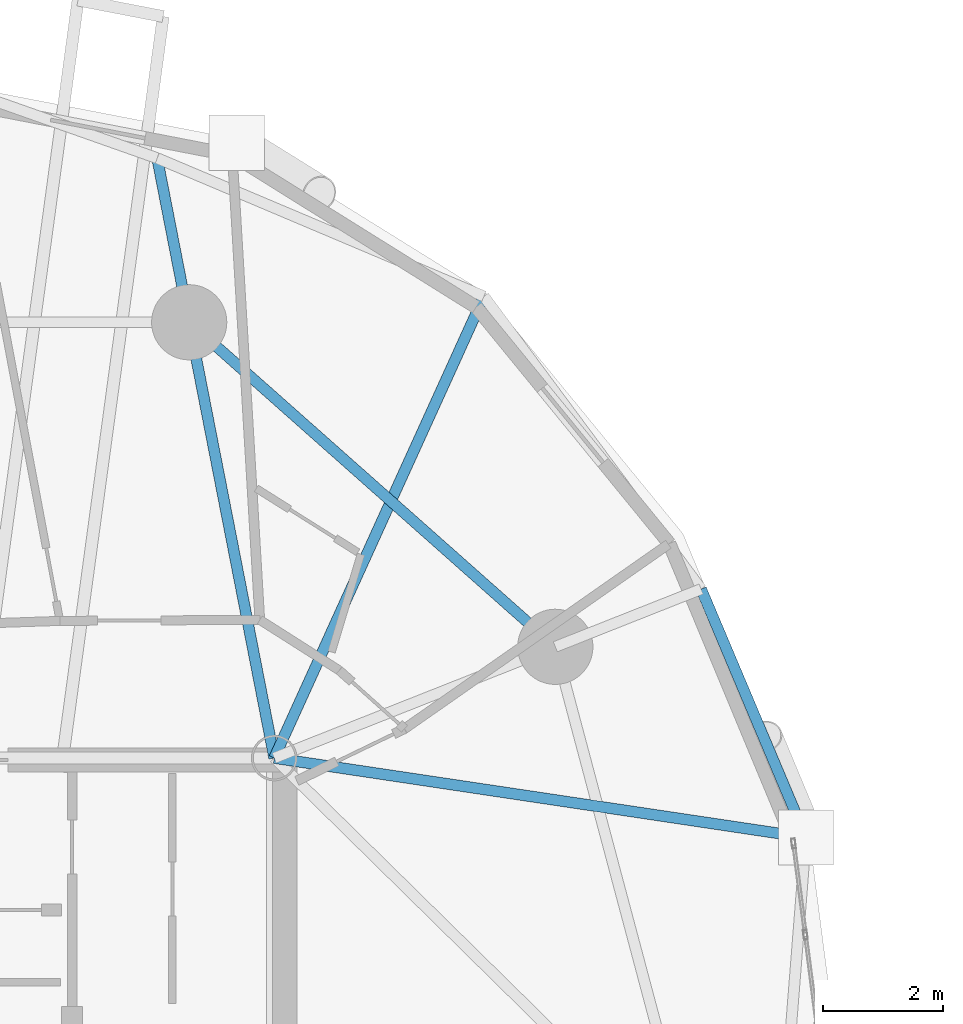
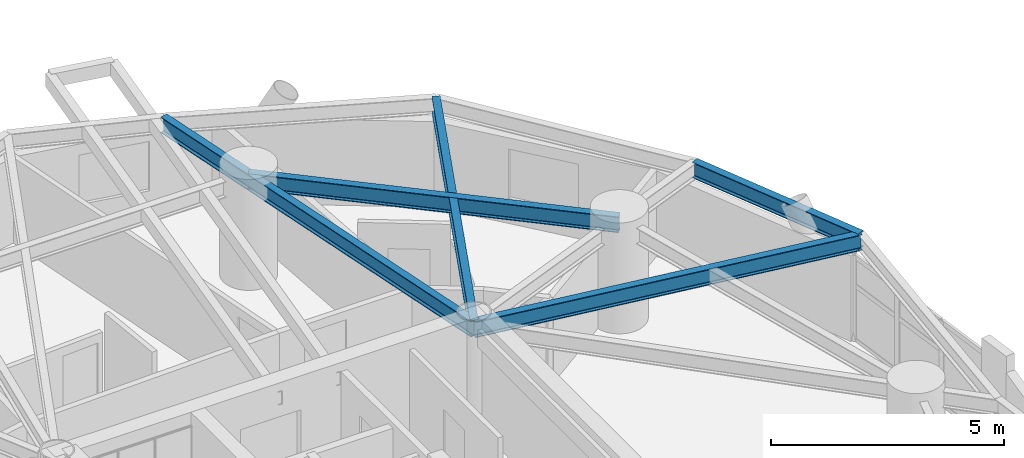
# One storey, part 4 of 19: 5 beams.
"""IFC4 building model written with IfcOpenShell, lengths in metres."""

import ifcopenshell
import ifcopenshell.guid

model = None  # the IFC model being written
_history = None  # IfcOwnerHistory: only IFC2X3 demands one
_inside = {}  # id of a spatial element -> (the spatial element, [elements in it])
_under = {}  # id of a project, library or spatial element -> (it, [spatial elements below it])
_declared = {}  # id of a project -> (the project, [libraries it declares])
_typed = {}  # id of a type object -> (the type object, [elements of that type])
_made_of = {}  # id of a material, layer set ... -> (it, [elements and type objects made of it])


def new_model(schema):
    """Start an empty IFC model of exactly this schema.

    Asked for "IFC4X3", IfcOpenShell would pick the latest addendum, in which some entities
    have other attributes; the version numbers below select the first issue.
    IFC2X3 requires an IfcOwnerHistory on every rooted entity: one is made here for all.
    """
    global model, _history
    if schema == "IFC4X3":
        model = ifcopenshell.file(schema_version=(4, 3, 0, 0))
    else:
        model = ifcopenshell.file(schema=schema)
    _inside.clear()
    _under.clear()
    _declared.clear()
    _typed.clear()
    _made_of.clear()
    _history = None
    if model.schema == "IFC2X3":
        org = make("IfcOrganization", Name="unknown")
        user = make(
            "IfcPersonAndOrganization",
            ThePerson=make("IfcPerson", FamilyName="unknown"),
            TheOrganization=org,
        )
        app = make(
            "IfcApplication",
            ApplicationDeveloper=org,
            Version="unknown",
            ApplicationFullName="unknown",
            ApplicationIdentifier="unknown",
        )
        _history = make(
            "IfcOwnerHistory",
            OwningUser=user,
            OwningApplication=app,
            ChangeAction="ADDED",
            CreationDate=0,
        )
    return model


def make(cls, **values):
    """One entity of the class cls with the attributes given. An attribute that is None is left unset."""
    return model.create_entity(
        cls, **{name: value for name, value in values.items() if value is not None}
    )


def rooted(cls, **values):
    """An entity with a GlobalId (a new one), such as an element, a storey or a relation."""
    return make(cls, GlobalId=ifcopenshell.guid.new(), OwnerHistory=_history, **values)


def si_unit(unit_type, name, prefix=None):
    """IfcSIUnit, for example si_unit("LENGTHUNIT", "METRE", prefix="MILLI")."""
    return make("IfcSIUnit", UnitType=unit_type, Prefix=prefix, Name=name)


def assignment(units):
    """IfcUnitAssignment: the units of a project."""
    return None if units is None else make("IfcUnitAssignment", Units=units)


def point(xyz):
    """IfcCartesianPoint."""
    return None if xyz is None else make("IfcCartesianPoint", Coordinates=xyz)


def direction(xyz):
    """IfcDirection."""
    return None if xyz is None else make("IfcDirection", DirectionRatios=xyz)


def frame(location, z_axis=None, x_axis=None):
    """IfcAxis2Placement3D, a coordinate frame: its origin and axes. An axis left out is left unset."""
    return make(
        "IfcAxis2Placement3D",
        Location=point(location),
        Axis=direction(z_axis),
        RefDirection=direction(x_axis),
    )


def frame_2d(location, x_axis=None):
    """IfcAxis2Placement2D, a coordinate frame in the plane: its origin and x axis."""
    return make(
        "IfcAxis2Placement2D", Location=point(location), RefDirection=direction(x_axis)
    )


def origin():
    """The frame at (0, 0, 0) with its axes left unset."""
    return frame((0.0, 0.0, 0.0))


def origin_2d():
    """The frame at (0, 0) in the plane with its x axis left unset."""
    return frame_2d((0.0, 0.0))


def place(relative_to, where):
    """IfcLocalPlacement: puts the frame where relative to a parent placement (None: the world)."""
    return make(
        "IfcLocalPlacement", PlacementRelTo=relative_to, RelativePlacement=where
    )


def context(
    kind, dimensions, precision=None, world=None, true_north=None, identifier=None
):
    """IfcGeometricRepresentationContext, for example the 3D "Model" context."""
    return make(
        "IfcGeometricRepresentationContext",
        ContextIdentifier=identifier,
        ContextType=kind,
        CoordinateSpaceDimension=dimensions,
        Precision=precision,
        WorldCoordinateSystem=world,
        TrueNorth=true_north,
    )


def subcontext(parent, identifier, kind, view, scale=None):
    """IfcGeometricRepresentationSubContext, for example "Body" below "Model"."""
    return make(
        "IfcGeometricRepresentationSubContext",
        ContextIdentifier=identifier,
        ContextType=kind,
        ParentContext=parent,
        TargetScale=scale,
        TargetView=view,
    )


def project(units=None, contexts=None):
    """IfcProject with its units and contexts."""
    return rooted(
        "IfcProject",
        Name="project",
        RepresentationContexts=contexts,
        UnitsInContext=assignment(units),
    )


def spatial(cls, under=None, at=None, **own):
    """A site, building, storey or space (cls), placed at a placement, below another one or the project."""
    s = rooted(cls, ObjectPlacement=at, **own)
    if under is not None:
        _under.setdefault(under.id(), (under, []))[1].append(s)
    return s


def profile(cls, at=None, kind="AREA", **sizes):
    """A parametric profile (cls). Its sizes go by their IFC names, for example OverallWidth=200.0."""
    return make(cls, ProfileType=kind, Position=at, **sizes)


def i_section(**sizes):
    """IfcIShapeProfileDef."""
    return profile("IfcIShapeProfileDef", **sizes)


def extrude(swept, where, along, depth):
    """IfcExtrudedAreaSolid: the profile swept, set in the frame where, extruded along a direction by depth."""
    return make(
        "IfcExtrudedAreaSolid",
        SweptArea=swept,
        Position=where,
        ExtrudedDirection=direction(along),
        Depth=depth,
    )


def shape(context_of_items, identifier, shape_type, items):
    """IfcShapeRepresentation: the items that make up one representation, for example the "Body"."""
    return make(
        "IfcShapeRepresentation",
        ContextOfItems=context_of_items,
        RepresentationIdentifier=identifier,
        RepresentationType=shape_type,
        Items=items,
    )


def material(Name=None, Category=None):
    """IfcMaterial."""
    return make("IfcMaterial", Name=Name, Category=Category)


def material_profile(
    of_material, cross_section, Name=None, Category=None, Priority=None
):
    """IfcMaterialProfile: a cross section and its material."""
    return make(
        "IfcMaterialProfile",
        Name=Name,
        Material=of_material,
        Profile=cross_section,
        Priority=Priority,
        Category=Category,
    )


def profile_set(profiles, Name=None, composite=None):
    """IfcMaterialProfileSet."""
    return make(
        "IfcMaterialProfileSet",
        Name=Name,
        MaterialProfiles=profiles,
        CompositeProfile=composite,
    )


def made_of(thing, what):
    """Note that an element or type object is made of a material, layer set ...; save() writes the relation."""
    if what is not None:
        _made_of.setdefault(what.id(), (what, []))[1].append(thing)
    return thing


def type_object(cls, material=None, **own):
    """A type object (cls), such as IfcWallType, which elements share."""
    return made_of(rooted(cls, **own), material)


def element(
    cls,
    number,
    at=None,
    inside=None,
    cuts=None,
    type_object=None,
    material=None,
    context=None,
    identifier="Body",
    shape_type=None,
    held_by="IfcProductDefinitionShape",
    body=None,
    shapes=None,
    **own,
):
    """One element of the class cls, such as IfcWall. Its Tag is "e" and its number.

    at: its placement. inside: the storey or other place that contains it. cuts: it is an
    opening in that element (IfcRelVoidsElement). A single representation is given by context,
    identifier, shape_type and body (its items); several are given by shapes. held_by: the class
    of the entity that holds the representations. save() writes the other relations.
    """
    e = rooted(cls, Tag="e%d" % number, ObjectPlacement=at, **own)
    if body is not None:
        shapes = [shape(context, identifier, shape_type, body)]
    if shapes is not None:
        e.Representation = make(held_by, Representations=shapes)
    if inside is not None:
        _inside.setdefault(inside.id(), (inside, []))[1].append(e)
    if cuts is not None:
        rooted(
            "IfcRelVoidsElement", RelatingBuildingElement=cuts, RelatedOpeningElement=e
        )
    if type_object is not None:
        _typed.setdefault(type_object.id(), (type_object, []))[1].append(e)
    return made_of(e, material)


def aggregate(whole, parts):
    """IfcRelAggregates: a whole, such as a stair, and the parts it consists of."""
    return rooted("IfcRelAggregates", RelatingObject=whole, RelatedObjects=parts)


def save(model, path):
    """Write the relations noted so far, then the file.

    IfcRelAggregates (storeys below a building ...), IfcRelContainedInSpatialStructure (elements
    in a storey), IfcRelDefinesByType, IfcRelAssociatesMaterial and IfcRelDeclares: one each for
    every whole, place, type object, material and project.
    """
    for whole, parts in _under.values():
        aggregate(whole, parts)
    for where, things in _inside.values():
        rooted(
            "IfcRelContainedInSpatialStructure",
            RelatedElements=things,
            RelatingStructure=where,
        )
    for kind, things in _typed.values():
        rooted("IfcRelDefinesByType", RelatedObjects=things, RelatingType=kind)
    for what, things in _made_of.values():
        rooted("IfcRelAssociatesMaterial", RelatedObjects=things, RelatingMaterial=what)
    for by, libraries in _declared.values():
        rooted("IfcRelDeclares", RelatingContext=by, RelatedDefinitions=libraries)
    model.write(path)


model = new_model("IFC4")

# Units and contexts
model_context = context("Model", 3, precision=1e-05, world=origin(), true_north=direction((0.0, 1.0)))
body_context = subcontext(model_context, "Body", "Model", "MODEL_VIEW")
ifc_project = project(units=[si_unit("LENGTHUNIT", "METRE"), si_unit("AREAUNIT", "SQUARE_METRE"), si_unit("VOLUMEUNIT", "CUBIC_METRE"), si_unit("PLANEANGLEUNIT", "RADIAN"), si_unit("MASSUNIT", "GRAM", prefix="KILO")], contexts=[model_context])

# Site, building, storey
site_placement = place(None, origin())
site = spatial("IfcSite", under=ifc_project, at=site_placement, CompositionType="ELEMENT")
building_placement = place(site_placement, origin())
building = spatial("IfcBuilding", under=site, at=building_placement, Name="Cununo Teusaquillo Station Towers", CompositionType="ELEMENT")
storey_placement = place(building_placement, frame((0.0, 0.0, 151.60009765625)))
storey = spatial("IfcBuildingStorey", under=building, at=storey_placement, Name="L47", CompositionType="ELEMENT", Elevation=151.60009765625)

# Beams
ifc_material_1 = material(Name="Steel ASTM A572 Grade 50", Category="steel")
ifc_material_profile_1 = material_profile(ifc_material_1, i_section(OverallWidth=0.180908203125, OverallDepth=0.4169921875, WebThickness=0.010986328125, FlangeThickness=0.018310546875, FilletRadius=0.012939453125, at=origin_2d()), Name="W16X57")
ifc_profile_set_1 = profile_set([ifc_material_profile_1], Name="Steel ASTM A572 Grade 50")
beam_type_1 = type_object("IfcBeamType", Name="BM-JOIST-1", PredefinedType="JOIST", material=ifc_profile_set_1)
beam_1_placement = place(storey_placement, frame((21.675048828125, 31.3798828125, 2.4814453125), z_axis=(0.989018754675, -0.147790063606, 0.0), x_axis=(0.147790063606, 0.989018754675, 0.0)))
element("IfcBeam", 1, at=beam_1_placement, inside=storey, type_object=beam_type_1, Name="L47 Tower A Radial Spandrel Joist V01", PredefinedType="JOIST", context=body_context, shape_type="SweptSolid", body=[
    extrude(i_section(OverallWidth=0.180908203125, OverallDepth=0.4169921875, WebThickness=0.010986328125, FlangeThickness=0.018310546875, FilletRadius=0.012939453125, at=origin_2d()), origin(), (0.0, 0.0, 1.0), 8.93701171875),
])
beam_2_placement = place(storey_placement, frame((21.675048828125, 31.3798828125, 2.4814453125), z_axis=(0.413558514621, 0.910477542274, 0.0), x_axis=(-0.910477542274, 0.413558514621, 0.0)))
element("IfcBeam", 2, at=beam_2_placement, inside=storey, type_object=beam_type_1, Name="L47 Tower A Radial Spandrel Joist V03", PredefinedType="JOIST", context=body_context, shape_type="SweptSolid", body=[
    extrude(i_section(OverallWidth=0.180908203125, OverallDepth=0.4169921875, WebThickness=0.010986328125, FlangeThickness=0.018310546875, FilletRadius=0.012939453125, at=origin_2d()), origin(), (0.0, 0.0, 1.0), 8.428955078125),
])
ifc_material_2 = material(Name="Steel ASTM A572 Grade 50", Category="steel")
ifc_material_profile_2 = material_profile(ifc_material_2, i_section(OverallWidth=0.180908203125, OverallDepth=0.4169921875, WebThickness=0.010986328125, FlangeThickness=0.018310546875, FilletRadius=0.012939453125, at=origin_2d()), Name="W16X57")
ifc_profile_set_2 = profile_set([ifc_material_profile_2], Name="Steel ASTM A572 Grade 50")
beam_type_2 = type_object("IfcBeamType", Name="BM-RAD-G2", PredefinedType="BEAM", material=ifc_profile_set_2)
beam_3_placement = place(storey_placement, frame((21.675048828125, 31.3798828125, 2.4814453125), z_axis=(-0.191552706487, 0.981482328235, 0.0), x_axis=(-0.981482328235, -0.191552706487, 0.0)))
element("IfcBeam", 3, at=beam_3_placement, inside=storey, type_object=beam_type_2, Name="L47 Tower A Continuous Overhanging Radial Girder 03", PredefinedType="BEAM", context=body_context, shape_type="SweptSolid", body=[
    extrude(i_section(OverallWidth=0.180908203125, OverallDepth=0.4169921875, WebThickness=0.010986328125, FlangeThickness=0.018310546875, FilletRadius=0.012939453125, at=origin_2d()), origin(), (0.0, 0.0, 1.0), 10.159423828125),
])
ifc_material_3 = material(Name="Steel ASTM A572 Grade 50", Category="steel")
ifc_material_profile_3 = material_profile(ifc_material_3, i_section(OverallWidth=0.180908203125, OverallDepth=0.4169921875, WebThickness=0.010986328125, FlangeThickness=0.018310546875, FilletRadius=0.012939453125, at=origin_2d()), Name="W16X57")
ifc_profile_set_3 = profile_set([ifc_material_profile_3], Name="Steel ASTM A572 Grade 50")
beam_type_3 = type_object("IfcBeamType", Name="BM-RING-Z3", PredefinedType="SPANDREL", material=ifc_profile_set_3)
beam_4_placement = place(storey_placement, frame((26.347412109375, 33.228515625, 2.4814453125), z_axis=(-0.74832120039, 0.66333655187, 0.0), x_axis=(-0.66333655187, -0.74832120039, 0.0)))
element("IfcBeam", 4, at=beam_4_placement, inside=storey, type_object=beam_type_3, Name="L47 Tower A Structural Column Ring Girder 02", PredefinedType="SPANDREL", context=body_context, shape_type="SweptSolid", body=[
    extrude(i_section(OverallWidth=0.180908203125, OverallDepth=0.4169921875, WebThickness=0.010986328125, FlangeThickness=0.018310546875, FilletRadius=0.012939453125, at=origin_2d()), origin(), (0.0, 0.0, 1.0), 8.1328125),
])
beam_5_placement = place(storey_placement, frame((30.513916015625, 30.05908203125, 2.4814453125), z_axis=(-0.388777827816, 0.921331536744, 0.0), x_axis=(-0.921331536744, -0.388777827816, 0.0)))
element("IfcBeam", 5, at=beam_5_placement, inside=storey, type_object=beam_type_3, Name="L47 Tower A Spandrel Ring Beam 02", PredefinedType="SPANDREL", context=body_context, shape_type="SweptSolid", body=[
    extrude(i_section(OverallWidth=0.180908203125, OverallDepth=0.4169921875, WebThickness=0.010986328125, FlangeThickness=0.018310546875, FilletRadius=0.012939453125, at=origin_2d()), origin(), (0.0, 0.0, 1.0), 4.481201171875),
])

save(model, "model.ifc")
